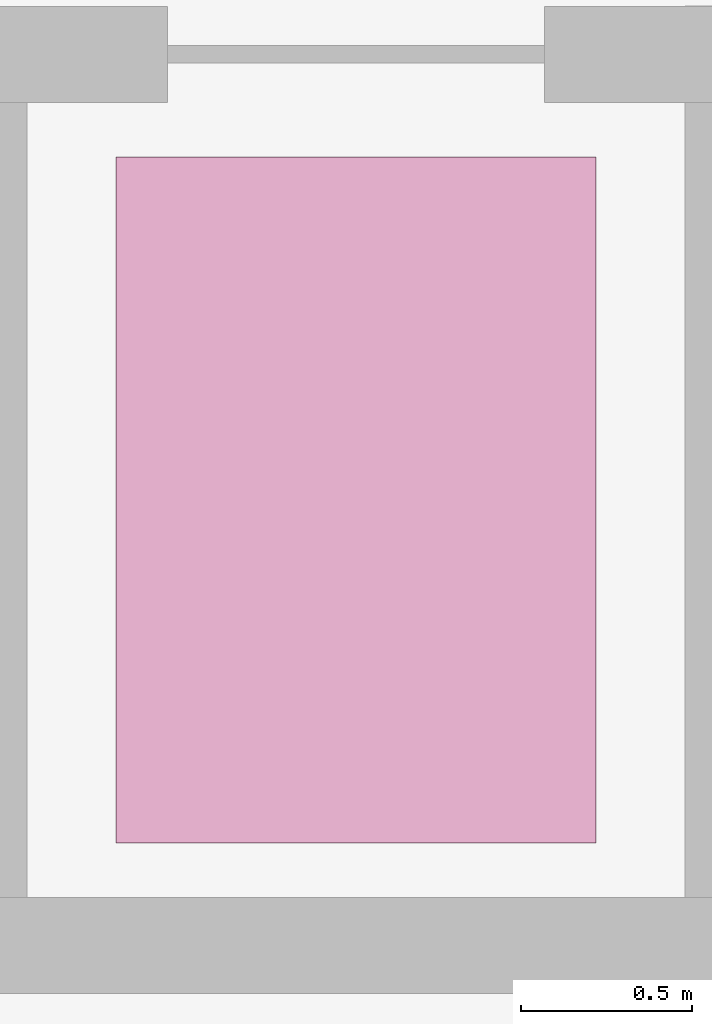
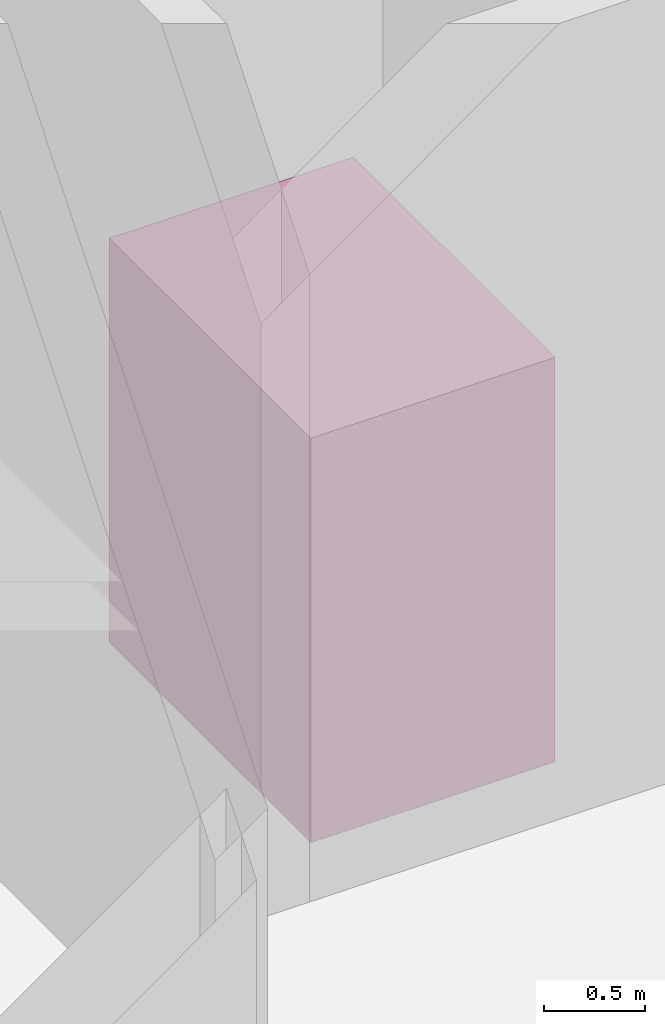
# One storey, part 121 of 121: 1 transport element.
"""IFC4 building model written with IfcOpenShell, lengths in metres."""

from ifc_helpers import new_model, si_unit, direction, frame, origin, origin_2d, place, context, subcontext, project, spatial, rectangle, extrude, material, type_object, element, save


model = new_model("IFC4")

# Units and contexts
model_context = context("Model", 3, precision=1e-05, world=origin(), true_north=direction((0.0, 1.0)))
body_context = subcontext(model_context, "Body", "Model", "MODEL_VIEW")
ifc_project = project(units=[si_unit("LENGTHUNIT", "METRE"), si_unit("AREAUNIT", "SQUARE_METRE"), si_unit("VOLUMEUNIT", "CUBIC_METRE"), si_unit("PLANEANGLEUNIT", "RADIAN"), si_unit("MASSUNIT", "GRAM", prefix="KILO")], contexts=[model_context])

# Site, building, storey
site_placement = place(None, origin())
site = spatial("IfcSite", under=ifc_project, at=site_placement, CompositionType="ELEMENT")
building_placement = place(site_placement, origin())
building = spatial("IfcBuilding", under=site, at=building_placement, Name="Malvenik Polytechnic", CompositionType="ELEMENT")
storey_placement = place(building_placement, origin())
storey = spatial("IfcBuildingStorey", under=building, at=storey_placement, Name="L00", CompositionType="ELEMENT", Elevation=0.0)

# Transport element
ifc_material = material(Name="Brushed stainless steel elevator cab assembly", Category="steel")
transport_element_type = type_object("IfcTransportElementType", Name="ARC-LFT-LP-01", PredefinedType="ELEVATOR", material=ifc_material)
transport_element_placement = place(storey_placement, frame((21.0, 85.64990234375, 0.0), z_axis=(0.0, 0.0, 1.0), x_axis=(1.0, 0.0, 0.0)))
element("IfcTransportElement", 1, at=transport_element_placement, inside=storey, type_object=transport_element_type, Name="Elevator Car LP-01", PredefinedType="ELEVATOR", context=body_context, shape_type="SweptSolid", body=[
    extrude(rectangle(XDim=1.39990234375, YDim=2.0, at=origin_2d()), origin(), (0.0, 0.0, 1.0), 2.449951171875),
])

save(model, "model.ifc")
